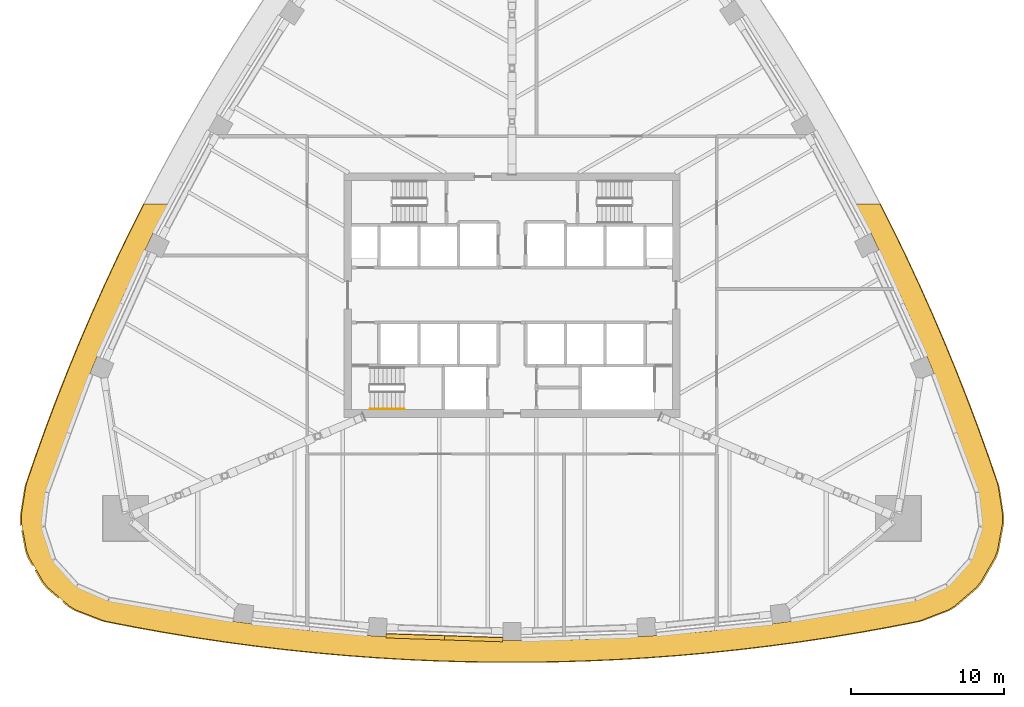
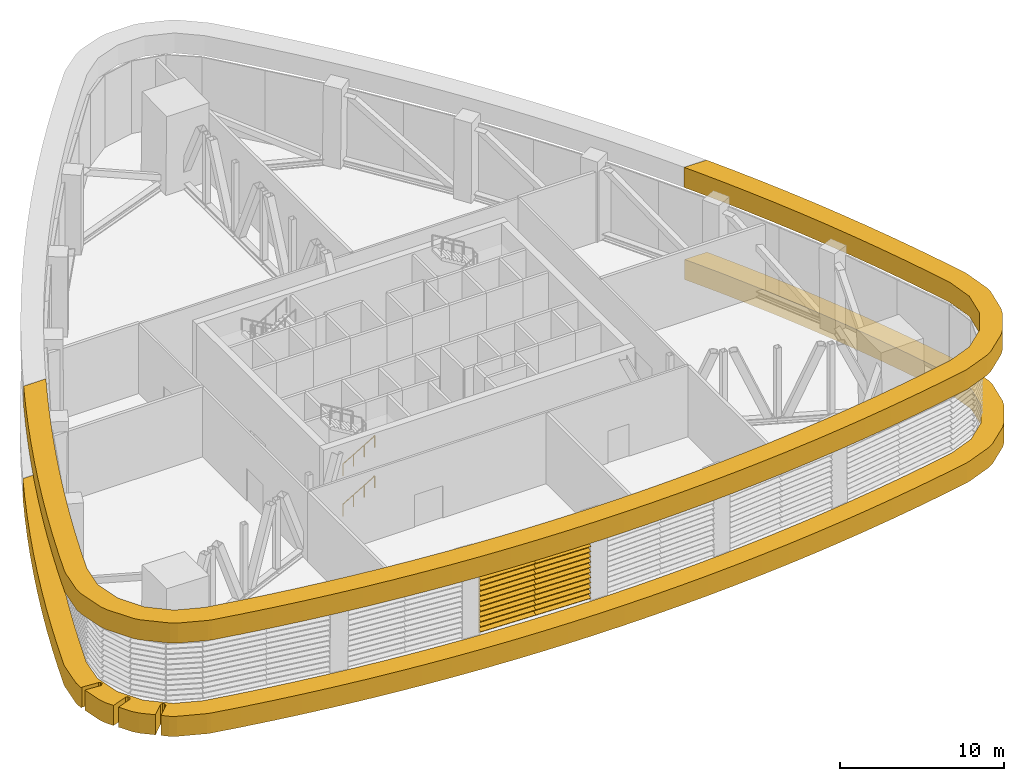
# One storey, part 12 of 18: 2 coverings, 2 railings, 2 shading devices.
"""IFC4 building model written with IfcOpenShell, lengths in metres."""

from ifc_helpers import new_model, si_unit, direction, frame, origin, origin_2d, place, context, subcontext, project, spatial, polyline, circle, outline, extrude, material, layer, layer_set, type_object, element, save


model = new_model("IFC4")

# Units and contexts
model_context = context("Model", 3, precision=1e-05, world=origin(), true_north=direction((0.0, 1.0)))
body_context = subcontext(model_context, "Body", "Model", "MODEL_VIEW")
ifc_project = project(units=[si_unit("LENGTHUNIT", "METRE"), si_unit("AREAUNIT", "SQUARE_METRE"), si_unit("VOLUMEUNIT", "CUBIC_METRE"), si_unit("PLANEANGLEUNIT", "RADIAN"), si_unit("MASSUNIT", "GRAM", prefix="KILO")], contexts=[model_context])

# Site, building, storey
site_placement = place(None, origin())
site = spatial("IfcSite", under=ifc_project, at=site_placement, CompositionType="ELEMENT")
building_placement = place(site_placement, origin())
building = spatial("IfcBuilding", under=site, at=building_placement, Name="Sierra Prisma Convention Tower", CompositionType="ELEMENT")
storey_placement = place(building_placement, frame((0.0, 0.0, 112.60009765625)))
storey = spatial("IfcBuildingStorey", under=building, at=storey_placement, Name="L24", CompositionType="ELEMENT", Elevation=112.60009765625)

# Coverings
ifc_material_1 = material(Name="Aluminium composite bronze anodised", Category="aluminium")
ifc_layer = layer(ifc_material_1, 1.39990234375)
ifc_layer_set = layer_set([ifc_layer], Name="Bronze belt mass")
covering_type = type_object("IfcCoveringType", Name="Bronze belt mass", PredefinedType="CLADDING", material=ifc_layer_set)
covering_1_placement = place(storey_placement, frame((0.0, 0.0, -1.5)))
element("IfcCovering", 1, at=covering_1_placement, inside=storey, type_object=covering_type, Name="Belt mass lower L24.1", PredefinedType="CLADDING", context=body_context, shape_type="SweptSolid", body=[
    extrude(outline(polyline([(-30.85595703125, -15.35791015625), (-30.855712890625, -15.353271484375), (-30.85595703125, -15.3486328125), (-30.856689453125, -15.343994140625), (-30.875, -15.24560546875), (-30.876220703125, -15.24072265625), (-30.877685546875, -15.236083984375), (-30.8798828125, -15.231689453125), (-30.88232421875, -15.227294921875), (-30.88525390625, -15.223388671875), (-30.888427734375, -15.219482421875), (-30.89208984375, -15.21630859375), (-30.896240234375, -15.21337890625), (-30.900390625, -15.210693359375), (-30.99951171875, -15.1572265625), (-31.00439453125, -15.155029296875), (-31.00927734375, -15.1533203125), (-31.01416015625, -15.152099609375), (-31.019287109375, -15.151611328125), (-32.1162109375, -15.066650390625), (-32.12109375, -15.066650390625), (-32.1259765625, -15.06689453125), (-32.130859375, -15.06787109375), (-32.135498046875, -15.069091796875), (-32.14013671875, -15.07080078125), (-32.14453125, -15.072998046875), (-32.148681640625, -15.07568359375), (-32.152587890625, -15.07861328125), (-32.156005859375, -15.08203125), (-32.1591796875, -15.085693359375), (-32.162109375, -15.089599609375), (-32.16455078125, -15.093994140625), (-32.16650390625, -15.098388671875), (-32.168212890625, -15.10302734375), (-32.169189453125, -15.10791015625), (-32.169921875, -15.11279296875), (-32.173583984375, -15.160888671875), (-32.2109375, -14.96142578125), (-32.218017578125, -14.489501953125), (-31.93310546875, -12.65234375), (-31.873779296875, -12.412353515625), (-31.23388671875, -10.549072265625), (-31.22705078125, -10.529541015625), (-30.5595703125, -8.676025390625), (-30.552490234375, -8.656494140625), (-29.857666015625, -6.81298828125), (-29.85009765625, -6.793701171875), (-29.128173828125, -4.960693359375), (-29.120361328125, -4.94140625), (-28.37109375, -3.119384765625), (-28.36328125, -3.100341796875), (-27.587158203125, -1.289794921875), (-27.578857421875, -1.270751953125), (-26.77587890625, 0.5283203125), (-26.767333984375, 0.547119140625), (-25.937744140625, 2.333984375), (-25.928955078125, 2.352783203125), (-25.072998046875, 4.127197265625), (-25.06396484375, 4.14599609375), (-24.181884765625, 5.9072265625), (-24.17236328125, 5.92578125), (-24.138916015625, 5.989990234375), (-22.561279296875, 5.989990234375), (-22.929931640625, 5.280517578125), (-23.516845703125, 4.1083984375), (-23.52001953125, 4.1064453125), (-23.52392578125, 4.103515625), (-23.52734375, 4.10009765625), (-23.530517578125, 4.09619140625), (-23.533447265625, 4.09228515625), (-23.535888671875, 4.087890625), (-24.065185546875, 3.010986328125), (-24.06689453125, 3.0068359375), (-24.07861328125, 2.9765625), (-24.080078125, 2.9716796875), (-24.081298828125, 2.967041015625), (-24.081787109375, 2.962158203125), (-24.081787109375, 2.959716796875), (-24.66796875, 1.74462890625), (-25.49755859375, -0.042236328125), (-26.30029296875, -1.84130859375), (-27.076416015625, -3.65185546875), (-27.192138671875, -3.933349609375), (-27.19287109375, -3.93408203125), (-27.19580078125, -3.93798828125), (-27.1982421875, -3.94189453125), (-27.200439453125, -3.9462890625), (-27.225830078125, -4.005859375), (-27.226318359375, -4.006591796875), (-27.6826171875, -5.116455078125), (-27.68408203125, -5.12109375), (-27.685302734375, -5.125732421875), (-27.68603515625, -5.130615234375), (-27.686279296875, -5.135009765625), (-27.82568359375, -5.473876953125), (-28.547607421875, -7.306884765625), (-29.242431640625, -9.150146484375), (-29.909912109375, -11.00390625), (-30.549560546875, -12.866943359375), (-30.834716796875, -14.7041015625), (-30.492919921875, -16.53173828125), (-29.5634765625, -18.141845703125), (-28.151611328125, -19.3515625), (-26.41796875, -20.023193359375), (-24.484375, -20.40087890625), (-22.545654296875, -20.74951171875), (-20.601806640625, -21.069580078125), (-18.6533203125, -21.360595703125), (-18.290283203125, -21.409423828125), (-18.286376953125, -21.41162109375), (-18.28173828125, -21.413330078125), (-18.277099609375, -21.414794921875), (-18.272216796875, -21.41552734375), (-17.0830078125, -21.5751953125), (-17.082275390625, -21.575439453125), (-17.017822265625, -21.5830078125), (-17.012939453125, -21.583251953125), (-17.00830078125, -21.583251953125), (-17.00341796875, -21.58251953125), (-17.002685546875, -21.58251953125), (-16.700927734375, -21.622802734375), (-14.74462890625, -21.856201171875), (-12.785400390625, -22.060302734375), (-10.822998046875, -22.2353515625), (-9.4775390625, -22.33544921875), (-9.475830078125, -22.336181640625), (-9.471435546875, -22.33837890625), (-9.466796875, -22.33984375), (-9.4619140625, -22.3408203125), (-9.4296875, -22.345947265625), (-9.425048828125, -22.346435546875), (-8.227783203125, -22.426513671875), (-8.222900390625, -22.4267578125), (-8.218017578125, -22.42626953125), (-8.213134765625, -22.42529296875), (-8.208251953125, -22.424072265625), (-8.203857421875, -22.42236328125), (-8.2001953125, -22.42041015625), (-6.89208984375, -22.498291015625), (-4.923828125, -22.585693359375), (-2.954833984375, -22.644287109375), (-0.985107421875, -22.673583984375), (-0.626953125, -22.673583984375), (-0.62353515625, -22.675537109375), (-0.619140625, -22.677490234375), (-0.614501953125, -22.67919921875), (-0.60986328125, -22.680419921875), (-0.60498046875, -22.68115234375), (-0.60009765625, -22.681396484375), (0.60009765625, -22.681396484375), (0.60498046875, -22.68115234375), (0.60986328125, -22.680419921875), (0.614501953125, -22.67919921875), (0.619140625, -22.677490234375), (0.62353515625, -22.675537109375), (0.626953125, -22.673583984375), (0.985107421875, -22.673583984375), (2.954833984375, -22.644287109375), (4.923828125, -22.585693359375), (6.89208984375, -22.498291015625), (8.2001953125, -22.42041015625), (8.203857421875, -22.42236328125), (8.208251953125, -22.424072265625), (8.213134765625, -22.42529296875), (8.218017578125, -22.42626953125), (8.222900390625, -22.4267578125), (8.227783203125, -22.426513671875), (9.425048828125, -22.346435546875), (9.4296875, -22.345947265625), (9.4619140625, -22.3408203125), (9.466796875, -22.33984375), (9.471435546875, -22.33837890625), (9.475830078125, -22.336181640625), (9.4775390625, -22.33544921875), (10.822998046875, -22.2353515625), (12.785400390625, -22.060302734375), (14.74462890625, -21.856201171875), (16.700927734375, -21.622802734375), (17.002685546875, -21.58251953125), (17.00341796875, -21.58251953125), (17.00830078125, -21.583251953125), (17.012939453125, -21.583251953125), (17.017822265625, -21.5830078125), (17.082275390625, -21.575439453125), (17.0830078125, -21.5751953125), (18.272216796875, -21.41552734375), (18.277099609375, -21.414794921875), (18.28173828125, -21.413330078125), (18.286376953125, -21.41162109375), (18.290283203125, -21.409423828125), (18.6533203125, -21.360595703125), (20.601806640625, -21.069580078125), (22.545654296875, -20.74951171875), (24.484375, -20.40087890625), (26.41796875, -20.023193359375), (28.151611328125, -19.3515625), (29.5634765625, -18.141845703125), (30.492919921875, -16.53173828125), (30.834716796875, -14.7041015625), (30.549560546875, -12.866943359375), (29.909912109375, -11.00390625), (29.242431640625, -9.150146484375), (28.547607421875, -7.306884765625), (27.82568359375, -5.473876953125), (27.686279296875, -5.135009765625), (27.68603515625, -5.130615234375), (27.685302734375, -5.125732421875), (27.68408203125, -5.12109375), (27.6826171875, -5.116455078125), (27.226318359375, -4.006591796875), (27.225830078125, -4.005859375), (27.200439453125, -3.9462890625), (27.1982421875, -3.94189453125), (27.19580078125, -3.93798828125), (27.19287109375, -3.93408203125), (27.192138671875, -3.933349609375), (27.076416015625, -3.65185546875), (26.30029296875, -1.84130859375), (25.49755859375, -0.042236328125), (24.66796875, 1.74462890625), (24.081787109375, 2.959716796875), (24.081787109375, 2.962158203125), (24.081298828125, 2.967041015625), (24.080078125, 2.9716796875), (24.07861328125, 2.9765625), (24.06689453125, 3.0068359375), (24.065185546875, 3.010986328125), (23.535888671875, 4.087890625), (23.533447265625, 4.09228515625), (23.530517578125, 4.09619140625), (23.52734375, 4.10009765625), (23.52392578125, 4.103515625), (23.52001953125, 4.1064453125), (23.516845703125, 4.1083984375), (22.929931640625, 5.280517578125), (22.561279296875, 5.989990234375), (24.138916015625, 5.989990234375), (24.17236328125, 5.92578125), (24.181884765625, 5.9072265625), (25.06396484375, 4.14599609375), (25.072998046875, 4.127197265625), (25.928955078125, 2.352783203125), (25.937744140625, 2.333984375), (26.767333984375, 0.547119140625), (26.77587890625, 0.5283203125), (27.578857421875, -1.270751953125), (27.587158203125, -1.289794921875), (28.36328125, -3.100341796875), (28.37109375, -3.119384765625), (29.120361328125, -4.94140625), (29.128173828125, -4.960693359375), (29.85009765625, -6.793701171875), (29.857666015625, -6.81298828125), (30.552490234375, -8.656494140625), (30.5595703125, -8.676025390625), (31.22705078125, -10.529541015625), (31.23388671875, -10.549072265625), (31.873779296875, -12.412353515625), (31.93310546875, -12.65234375), (32.218017578125, -14.489501953125), (32.2109375, -14.96142578125), (31.869140625, -16.7890625), (31.70556640625, -17.231689453125), (30.77587890625, -18.841796875), (30.474365234375, -19.205078125), (29.0625, -20.414794921875), (28.657470703125, -20.656982421875), (26.923583984375, -21.32861328125), (26.686279296875, -21.397216796875), (24.752685546875, -21.77490234375), (24.732421875, -21.778564453125), (22.79345703125, -22.12744140625), (22.77294921875, -22.131103515625), (20.8291015625, -22.450927734375), (20.80859375, -22.4541015625), (18.860107421875, -22.745361328125), (18.839599609375, -22.748291015625), (16.88720703125, -23.010498046875), (16.86669921875, -23.01318359375), (14.910400390625, -23.246337890625), (14.889892578125, -23.24853515625), (12.930419921875, -23.452880859375), (12.909912109375, -23.454833984375), (10.947509765625, -23.6298828125), (10.9267578125, -23.631591796875), (8.96240234375, -23.777587890625), (8.94140625, -23.77880859375), (6.97509765625, -23.895751953125), (6.954345703125, -23.896728515625), (4.986083984375, -23.984619140625), (4.965576171875, -23.985107421875), (2.996337890625, -24.043701171875), (2.9755859375, -24.044189453125), (1.005859375, -24.0732421875), (0.985107421875, -24.073486328125), (-0.985107421875, -24.073486328125), (-1.005859375, -24.0732421875), (-2.9755859375, -24.044189453125), (-2.996337890625, -24.043701171875), (-4.965576171875, -23.985107421875), (-4.986083984375, -23.984619140625), (-6.954345703125, -23.896728515625), (-6.97509765625, -23.895751953125), (-8.94140625, -23.77880859375), (-8.96240234375, -23.777587890625), (-10.9267578125, -23.631591796875), (-10.947509765625, -23.6298828125), (-12.909912109375, -23.454833984375), (-12.930419921875, -23.452880859375), (-14.889892578125, -23.24853515625), (-14.910400390625, -23.246337890625), (-16.86669921875, -23.01318359375), (-16.88720703125, -23.010498046875), (-18.839599609375, -22.748291015625), (-18.860107421875, -22.745361328125), (-20.80859375, -22.4541015625), (-20.8291015625, -22.450927734375), (-22.77294921875, -22.131103515625), (-22.79345703125, -22.12744140625), (-24.732421875, -21.778564453125), (-24.752685546875, -21.77490234375), (-26.686279296875, -21.397216796875), (-26.923583984375, -21.32861328125), (-28.657470703125, -20.656982421875), (-29.0625, -20.414794921875), (-29.43798828125, -20.093017578125), (-28.66650390625, -19.33740234375), (-28.6630859375, -19.33349609375), (-28.66015625, -19.32958984375), (-28.65771484375, -19.3251953125), (-28.655517578125, -19.32080078125), (-28.65380859375, -19.31591796875), (-28.652587890625, -19.31103515625), (-28.6240234375, -19.1630859375), (-28.623291015625, -19.158447265625), (-28.623046875, -19.15380859375), (-28.623291015625, -19.14892578125), (-28.6240234375, -19.14404296875), (-28.625, -19.139404296875), (-28.626708984375, -19.135009765625), (-28.628662109375, -19.130615234375), (-28.631103515625, -19.12646484375), (-28.6337890625, -19.12255859375), (-28.63720703125, -19.118896484375), (-28.640380859375, -19.11572265625), (-28.716552734375, -19.05078125), (-28.72021484375, -19.047607421875), (-28.724365234375, -19.045166015625), (-28.728759765625, -19.04296875), (-28.7333984375, -19.041259765625), (-28.738037109375, -19.039794921875), (-28.742919921875, -19.0390625), (-28.74755859375, -19.038818359375), (-28.75244140625, -19.038818359375), (-28.75732421875, -19.039306640625), (-28.761962890625, -19.040283203125), (-28.8896484375, -19.07470703125), (-28.89453125, -19.076416015625), (-28.899169921875, -19.078369140625), (-28.903564453125, -19.080810546875), (-28.90771484375, -19.083984375), (-28.91162109375, -19.08740234375), (-29.697265625, -19.857177734375), (-29.70068359375, -19.86083984375), (-29.70361328125, -19.86474609375), (-29.703857421875, -19.865234375), (-30.474365234375, -19.205078125), (-30.77587890625, -18.841796875), (-31.24658203125, -18.0263671875), (-30.248779296875, -17.6630859375), (-30.24462890625, -17.661376953125), (-30.240478515625, -17.6591796875), (-30.236572265625, -17.65673828125), (-30.23291015625, -17.65380859375), (-30.229736328125, -17.650634765625), (-30.2265625, -17.64697265625), (-30.223876953125, -17.643310546875), (-30.1376953125, -17.509033203125), (-30.13525390625, -17.5048828125), (-30.13330078125, -17.500244140625), (-30.131591796875, -17.49560546875), (-30.130615234375, -17.49072265625), (-30.1298828125, -17.485595703125), (-30.1298828125, -17.480712890625), (-30.130126953125, -17.475830078125), (-30.131103515625, -17.470947265625), (-30.132568359375, -17.466064453125), (-30.13427734375, -17.46142578125), (-30.136474609375, -17.45703125), (-30.1865234375, -17.37060546875), (-30.189453125, -17.3662109375), (-30.192626953125, -17.362060546875), (-30.1962890625, -17.3583984375), (-30.2001953125, -17.355224609375), (-30.20458984375, -17.352294921875), (-30.209228515625, -17.349853515625), (-30.214111328125, -17.34814453125), (-30.218994140625, -17.3466796875), (-30.22412109375, -17.345703125), (-30.345703125, -17.33154296875), (-30.350341796875, -17.331298828125), (-30.35498046875, -17.331298828125), (-30.359619140625, -17.33203125), (-30.3642578125, -17.3330078125), (-30.36865234375, -17.334228515625), (-31.40234375, -17.71044921875), (-31.40673828125, -17.71240234375), (-31.4111328125, -17.71484375), (-31.415283203125, -17.717529296875), (-31.4189453125, -17.720703125), (-31.421630859375, -17.723388671875), (-31.70556640625, -17.231689453125), (-31.869140625, -16.7890625), (-32.125732421875, -15.4169921875), (-31.04638671875, -15.50048828125), (-31.04150390625, -15.50048828125), (-31.036376953125, -15.500244140625), (-31.031494140625, -15.49951171875), (-31.02685546875, -15.498046875), (-31.022216796875, -15.49609375), (-31.017578125, -15.493896484375), (-31.013427734375, -15.4912109375), (-30.876708984375, -15.393798828125), (-30.873046875, -15.390869140625), (-30.86962890625, -15.3876953125), (-30.866455078125, -15.384033203125), (-30.86376953125, -15.380126953125), (-30.861328125, -15.376220703125), (-30.859375, -15.371826171875), (-30.85791015625, -15.3671875), (-30.856689453125, -15.36279296875), (-30.85595703125, -15.35791015625)])), origin(), (0.0, 0.0, 1.0), 1.5),
])
covering_2_placement = place(storey_placement, frame((0.0, 0.0, 5.39990234375)))
element("IfcCovering", 2, at=covering_2_placement, inside=storey, type_object=covering_type, Name="Belt mass upper L24.1", PredefinedType="CLADDING", context=body_context, shape_type="SweptSolid", body=[
    extrude(outline(polyline([(-28.965087890625, -20.373779296875), (-30.3837890625, -19.157958984375), (-30.685302734375, -18.794921875), (-31.61962890625, -17.1767578125), (-31.783203125, -16.734130859375), (-32.126708984375, -14.8974609375), (-32.134033203125, -14.425537109375), (-31.847900390625, -12.5791015625), (-31.78857421875, -12.339111328125), (-31.151611328125, -10.4833984375), (-31.14453125, -10.4638671875), (-30.480224609375, -8.61767578125), (-30.472900390625, -8.59814453125), (-29.78125, -6.761962890625), (-29.773681640625, -6.74267578125), (-29.054931640625, -4.9169921875), (-29.047119140625, -4.897705078125), (-28.30126953125, -3.082763671875), (-28.293212890625, -3.063720703125), (-27.520263671875, -1.26025390625), (-27.511962890625, -1.2412109375), (-26.71240234375, 0.55078125), (-26.703857421875, 0.569580078125), (-25.877685546875, 2.349365234375), (-25.868896484375, 2.3681640625), (-25.0166015625, 4.135498046875), (-25.00732421875, 4.154296875), (-24.12890625, 5.90869140625), (-24.119384765625, 5.927001953125), (-24.101318359375, 5.9619140625), (-22.523681640625, 5.9619140625), (-22.877197265625, 5.28173828125), (-23.755615234375, 3.52734375), (-24.60791015625, 1.760009765625), (-25.43408203125, -0.019775390625), (-26.2333984375, -1.8115234375), (-27.00634765625, -3.614990234375), (-27.752197265625, -5.429931640625), (-28.47119140625, -7.255615234375), (-29.162841796875, -9.091796875), (-29.827392578125, -10.93798828125), (-30.46435546875, -12.793701171875), (-30.75048828125, -14.64013671875), (-30.406982421875, -16.476806640625), (-29.472900390625, -18.094970703125), (-28.053955078125, -19.310791015625), (-26.311767578125, -19.986083984375), (-24.385986328125, -20.3623046875), (-22.455078125, -20.7099609375), (-20.51904296875, -21.029052734375), (-18.57861328125, -21.319091796875), (-16.6337890625, -21.58056640625), (-14.685546875, -21.81298828125), (-12.734130859375, -22.0166015625), (-10.77978515625, -22.191162109375), (-8.822998046875, -22.336669921875), (-6.864501953125, -22.453125), (-4.904296875, -22.540283203125), (-2.943115234375, -22.5986328125), (-0.981201171875, -22.627685546875), (0.981201171875, -22.627685546875), (2.943115234375, -22.5986328125), (4.904296875, -22.540283203125), (6.864501953125, -22.453125), (8.822998046875, -22.336669921875), (10.77978515625, -22.191162109375), (12.734130859375, -22.0166015625), (14.685546875, -21.81298828125), (16.6337890625, -21.58056640625), (18.57861328125, -21.319091796875), (20.51904296875, -21.029052734375), (22.455078125, -20.7099609375), (24.385986328125, -20.3623046875), (26.311767578125, -19.986083984375), (28.053955078125, -19.310791015625), (29.472900390625, -18.094970703125), (30.406982421875, -16.476806640625), (30.75048828125, -14.64013671875), (30.46435546875, -12.793701171875), (29.827392578125, -10.93798828125), (29.162841796875, -9.091796875), (28.47119140625, -7.255615234375), (27.752197265625, -5.429931640625), (27.00634765625, -3.614990234375), (26.2333984375, -1.8115234375), (25.43408203125, -0.019775390625), (24.60791015625, 1.760009765625), (23.755615234375, 3.52734375), (22.877197265625, 5.28173828125), (22.523681640625, 5.9619140625), (24.101318359375, 5.9619140625), (24.119384765625, 5.927001953125), (24.12890625, 5.90869140625), (25.00732421875, 4.154296875), (25.0166015625, 4.135498046875), (25.868896484375, 2.3681640625), (25.877685546875, 2.349365234375), (26.703857421875, 0.569580078125), (26.71240234375, 0.55078125), (27.511962890625, -1.2412109375), (27.520263671875, -1.26025390625), (28.293212890625, -3.063720703125), (28.30126953125, -3.082763671875), (29.047119140625, -4.897705078125), (29.054931640625, -4.9169921875), (29.773681640625, -6.74267578125), (29.78125, -6.761962890625), (30.472900390625, -8.59814453125), (30.480224609375, -8.61767578125), (31.14453125, -10.4638671875), (31.151611328125, -10.4833984375), (31.78857421875, -12.339111328125), (31.847900390625, -12.5791015625), (32.134033203125, -14.425537109375), (32.126708984375, -14.8974609375), (31.783203125, -16.734130859375), (31.61962890625, -17.1767578125), (30.685302734375, -18.794921875), (30.3837890625, -19.157958984375), (28.965087890625, -20.373779296875), (28.56005859375, -20.6162109375), (26.81787109375, -21.29150390625), (26.580322265625, -21.360107421875), (24.65478515625, -21.736328125), (24.63427734375, -21.740234375), (22.703125, -22.087890625), (22.6826171875, -22.09130859375), (20.74658203125, -22.410400390625), (20.72607421875, -22.41357421875), (18.78564453125, -22.703857421875), (18.764892578125, -22.706787109375), (16.8203125, -22.968017578125), (16.7998046875, -22.970703125), (14.8515625, -23.203125), (14.830810546875, -23.20556640625), (12.87939453125, -23.408935546875), (12.858642578125, -23.410888671875), (10.904296875, -23.585693359375), (10.883544921875, -23.58740234375), (8.927001953125, -23.73291015625), (8.906005859375, -23.734130859375), (6.947509765625, -23.8505859375), (6.9267578125, -23.851806640625), (4.966552734375, -23.93896484375), (4.94580078125, -23.939697265625), (2.984619140625, -23.998046875), (2.963623046875, -23.99853515625), (1.001708984375, -24.027587890625), (0.981201171875, -24.02783203125), (-0.981201171875, -24.02783203125), (-1.001708984375, -24.027587890625), (-2.963623046875, -23.99853515625), (-2.984619140625, -23.998046875), (-4.94580078125, -23.939697265625), (-4.966552734375, -23.93896484375), (-6.9267578125, -23.851806640625), (-6.947509765625, -23.8505859375), (-8.906005859375, -23.734130859375), (-8.927001953125, -23.73291015625), (-10.883544921875, -23.58740234375), (-10.904296875, -23.585693359375), (-12.858642578125, -23.410888671875), (-12.87939453125, -23.408935546875), (-14.830810546875, -23.20556640625), (-14.8515625, -23.203125), (-16.7998046875, -22.970703125), (-16.8203125, -22.968017578125), (-18.764892578125, -22.706787109375), (-18.78564453125, -22.703857421875), (-20.72607421875, -22.41357421875), (-20.74658203125, -22.410400390625), (-22.6826171875, -22.09130859375), (-22.703125, -22.087890625), (-24.63427734375, -21.740234375), (-24.65478515625, -21.736328125), (-26.580322265625, -21.360107421875), (-26.81787109375, -21.29150390625), (-28.56005859375, -20.6162109375), (-28.965087890625, -20.373779296875)])), origin(), (0.0, 0.0, 1.0), 1.5),
])

# Railings
ifc_material_2 = material(Name="Stainless steel", Category="steel")
railing_type = type_object("IfcRailingType", Name="Exit stair handrail", PredefinedType="HANDRAIL", material=ifc_material_2)
for number, where, name in (
    (3, (-9.300048828125, -7.449951171875, 0.16650390625), "L24 S1 stair handrail 1"),
    (4, (-9.300048828125, -7.449951171875, 3.16650390625), "L24 S1 stair handrail 3"),
):
    element("IfcRailing", number, at=place(storey_placement, frame(where)), inside=storey, type_object=railing_type, Name=name, PredefinedType="HANDRAIL", context=body_context, shape_type="SweptSolid", body=[
        extrude(circle(Radius=0.02392578125, at=origin_2d()), frame((0.0, 0.0, 0.8759765625), z_axis=(0.859264461869, 0.0, 0.511531606619), x_axis=(0.0, 1.0, 0.0)), (0.0, 0.0, 1.0), 2.60693359375),
        extrude(circle(Radius=0.02099609375, at=origin_2d()), origin(), (0.0, 0.0, 1.0), 0.851806640625),
        extrude(circle(Radius=0.02099609375, at=origin_2d()), frame((0.74658203125, 0.0, 0.444580078125)), (0.0, 0.0, 1.0), 0.851806640625),
        extrude(circle(Radius=0.02099609375, at=origin_2d()), frame((1.493408203125, 0.0, 0.888916015625)), (0.0, 0.0, 1.0), 0.851806640625),
        extrude(circle(Radius=0.02099609375, at=origin_2d()), frame((2.239990234375, 0.0, 1.33349609375)), (0.0, 0.0, 1.0), 0.851806640625),
    ])

# Shading devices
ifc_material_3 = material(Name="Aluminium 6063-T6 bronze anodised", Category="aluminium")
shading_device_type = type_object("IfcShadingDeviceType", Name="Louvre bay bronze", PredefinedType="USERDEFINED", material=ifc_material_3)
shading_device_1_placement = place(storey_placement, frame((-8.2421875, -22.15185546875, 0.0), z_axis=(-0.999459084273, 0.032886758175, 0.0), x_axis=(0.0, 0.0, 1.0)))
element("IfcShadingDevice", 5, at=shading_device_1_placement, inside=storey, type_object=shading_device_type, Name="Louvre L24 S3.1", ObjectType="LOUVRE", PredefinedType="USERDEFINED", context=body_context, shape_type="SweptSolid", body=[
    extrude(outline(polyline([(0.0, 0.0), (5.39990234375, 0.0), (5.39990234375, -0.030045169530843584), (5.3798828125, -0.030045169530843584), (5.260009765625, -0.3002157157366346), (5.22998046875, -0.3002157157366346), (5.349853515625, -0.030045169530843584), (5.01416015625, -0.030045169530843584), (4.994140625, -0.030045169530843584), (4.874267578125, -0.3002157157366346), (4.84423828125, -0.3002157157366346), (4.964111328125, -0.030045169530843584), (4.62841796875, -0.030045169530843584), (4.6083984375, -0.030045169530843584), (4.488525390625, -0.3002157157366346), (4.45849609375, -0.3002157157366346), (4.578369140625, -0.030045169530843584), (4.24267578125, -0.030045169530843584), (4.22265625, -0.030045169530843584), (4.102783203125, -0.3002157157366346), (4.07275390625, -0.3002157157366346), (4.19287109375, -0.030045169530843584), (3.85693359375, -0.030045169530843584), (3.837158203125, -0.030045169530843584), (3.717041015625, -0.3002157157366346), (3.68701171875, -0.3002157157366346), (3.80712890625, -0.030045169530843584), (3.471435546875, -0.030045169530843584), (3.451416015625, -0.030045169530843584), (3.331298828125, -0.3002157157366346), (3.30126953125, -0.3002157157366346), (3.42138671875, -0.030045169530843584), (3.085693359375, -0.030045169530843584), (3.065673828125, -0.030045169530843584), (2.945556640625, -0.3002157157366346), (2.91552734375, -0.3002157157366346), (3.03564453125, -0.030045169530843584), (2.699951171875, -0.030045169530843584), (2.679931640625, -0.030045169530843584), (2.559814453125, -0.3002157157366346), (2.52978515625, -0.3002157157366346), (2.64990234375, -0.030045169530843584), (2.314208984375, -0.030045169530843584), (2.294189453125, -0.030045169530843584), (2.174072265625, -0.3002157157366346), (2.144287109375, -0.3002157157366346), (2.26416015625, -0.030045169530843584), (1.928466796875, -0.030045169530843584), (1.908447265625, -0.030045169530843584), (1.78857421875, -0.3002157157366346), (1.758544921875, -0.3002157157366346), (1.87841796875, -0.030045169530843584), (1.542724609375, -0.030045169530843584), (1.522705078125, -0.030045169530843584), (1.40283203125, -0.3002157157366346), (1.372802734375, -0.3002157157366346), (1.49267578125, -0.030045169530843584), (1.156982421875, -0.030045169530843584), (1.136962890625, -0.030045169530843584), (1.01708984375, -0.3002157157366346), (0.987060546875, -0.3002157157366346), (1.10693359375, -0.030045169530843584), (0.771240234375, -0.030045169530843584), (0.751220703125, -0.030045169530843584), (0.63134765625, -0.3002157157366346), (0.601318359375, -0.3002157157366346), (0.721435546875, -0.030045169530843584), (0.385498046875, -0.030045169530843584), (0.36572265625, -0.030045169530843584), (0.24560546875, -0.3002157157366346), (0.215576171875, -0.3002157157366346), (0.335693359375, -0.030045169530843584), (0.0, -0.030045169530843584), (0.0, 0.0)])), origin(), (0.0, 0.0, -1.0), 3.823486328125),
])
shading_device_2_placement = place(storey_placement, frame((-4.4208984375, -22.279541015625, 0.0), z_axis=(-0.999458681794, 0.032898987625, 0.0), x_axis=(0.0, 0.0, 1.0)))
element("IfcShadingDevice", 6, at=shading_device_2_placement, inside=storey, type_object=shading_device_type, Name="Louvre L24 S3.2", ObjectType="LOUVRE", PredefinedType="USERDEFINED", context=body_context, shape_type="SweptSolid", body=[
    extrude(outline(polyline([(0.0, 0.0), (5.39990234375, 0.0), (5.39990234375, -0.03004516938748847), (5.3798828125, -0.03004516938748847), (5.260009765625, -0.2999717089198156), (5.22998046875, -0.2999717089198156), (5.349853515625, -0.03004516938748847), (5.01416015625, -0.03004516938748847), (4.994140625, -0.03004516938748847), (4.874267578125, -0.2999717089198156), (4.84423828125, -0.2999717089198156), (4.964111328125, -0.03004516938748847), (4.62841796875, -0.03004516938748847), (4.6083984375, -0.03004516938748847), (4.488525390625, -0.2999717089198156), (4.45849609375, -0.2999717089198156), (4.578369140625, -0.03004516938748847), (4.24267578125, -0.03004516938748847), (4.22265625, -0.03004516938748847), (4.102783203125, -0.2999717089198156), (4.07275390625, -0.2999717089198156), (4.19287109375, -0.03004516938748847), (3.85693359375, -0.03004516938748847), (3.837158203125, -0.03004516938748847), (3.717041015625, -0.2999717089198156), (3.68701171875, -0.2999717089198156), (3.80712890625, -0.03004516938748847), (3.471435546875, -0.03004516938748847), (3.451416015625, -0.03004516938748847), (3.331298828125, -0.2999717089198156), (3.30126953125, -0.2999717089198156), (3.42138671875, -0.03004516938748847), (3.085693359375, -0.03004516938748847), (3.065673828125, -0.03004516938748847), (2.945556640625, -0.2999717089198156), (2.91552734375, -0.2999717089198156), (3.03564453125, -0.03004516938748847), (2.699951171875, -0.03004516938748847), (2.679931640625, -0.03004516938748847), (2.559814453125, -0.2999717089198156), (2.52978515625, -0.2999717089198156), (2.64990234375, -0.03004516938748847), (2.314208984375, -0.03004516938748847), (2.294189453125, -0.03004516938748847), (2.174072265625, -0.2999717089198156), (2.144287109375, -0.2999717089198156), (2.26416015625, -0.03004516938748847), (1.928466796875, -0.03004516938748847), (1.908447265625, -0.03004516938748847), (1.78857421875, -0.2999717089198156), (1.758544921875, -0.2999717089198156), (1.87841796875, -0.03004516938748847), (1.542724609375, -0.03004516938748847), (1.522705078125, -0.03004516938748847), (1.40283203125, -0.2999717089198156), (1.372802734375, -0.2999717089198156), (1.49267578125, -0.03004516938748847), (1.156982421875, -0.03004516938748847), (1.136962890625, -0.03004516938748847), (1.01708984375, -0.2999717089198156), (0.987060546875, -0.2999717089198156), (1.10693359375, -0.03004516938748847), (0.771240234375, -0.03004516938748847), (0.751220703125, -0.03004516938748847), (0.63134765625, -0.2999717089198156), (0.601318359375, -0.2999717089198156), (0.721435546875, -0.03004516938748847), (0.385498046875, -0.03004516938748847), (0.36572265625, -0.03004516938748847), (0.24560546875, -0.2999717089198156), (0.215576171875, -0.2999717089198156), (0.335693359375, -0.03004516938748847), (0.0, -0.03004516938748847), (0.0, 0.0)])), origin(), (0.0, 0.0, -1.0), 3.823486328125),
])

save(model, "model.ifc")
